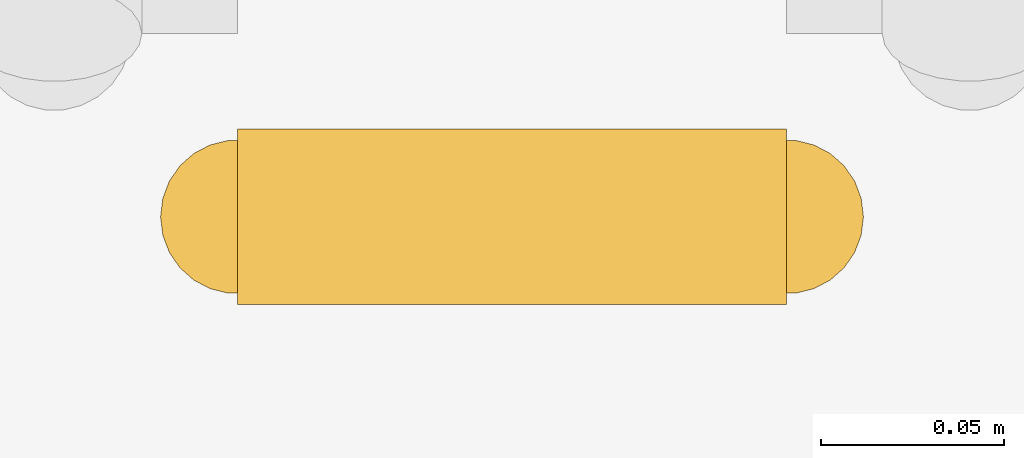
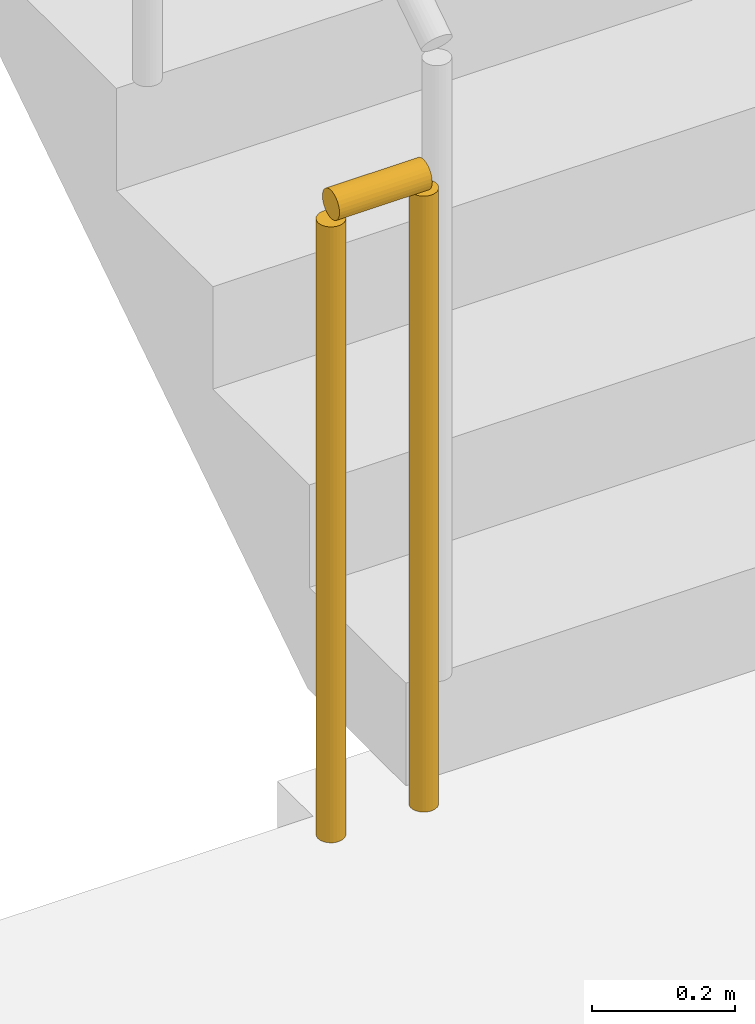
# One storey, part 16 of 19: 1 railing.
"""IFC4 building model written with IfcOpenShell, lengths in metres."""

from ifc_helpers import new_model, si_unit, direction, frame, origin, origin_2d, place, context, subcontext, project, spatial, circle, extrude, material, type_object, element, save


model = new_model("IFC4")

# Units and contexts
model_context = context("Model", 3, precision=1e-05, world=origin(), true_north=direction((0.0, 1.0)))
body_context = subcontext(model_context, "Body", "Model", "MODEL_VIEW")
ifc_project = project(units=[si_unit("LENGTHUNIT", "METRE"), si_unit("AREAUNIT", "SQUARE_METRE"), si_unit("VOLUMEUNIT", "CUBIC_METRE"), si_unit("PLANEANGLEUNIT", "RADIAN"), si_unit("MASSUNIT", "GRAM", prefix="KILO")], contexts=[model_context])

# Site, building, storey
site_placement = place(None, origin())
site = spatial("IfcSite", under=ifc_project, at=site_placement, CompositionType="ELEMENT")
building_placement = place(site_placement, origin())
building = spatial("IfcBuilding", under=site, at=building_placement, Name="Saffron Iwan Residences", CompositionType="ELEMENT")
storey_placement = place(building_placement, frame((0.0, 0.0, 267.5)))
storey = spatial("IfcBuildingStorey", under=building, at=storey_placement, Name="L72", CompositionType="ELEMENT", Elevation=267.5)

# Railing
ifc_material = material(Name="Steel S355", Category="steel")
railing_type = type_object("IfcRailingType", Name="Stair guard 1100", PredefinedType="GUARDRAIL", material=ifc_material)
railing_placement = place(storey_placement, frame((69.699951171875, 67.800048828125, 0.0)))
element("IfcRailing", 1, at=railing_placement, inside=storey, type_object=railing_type, Name="L72 ST-E stair guard 2", PredefinedType="GUARDRAIL", context=body_context, shape_type="SweptSolid", body=[
    extrude(circle(Radius=0.02392578125, at=origin_2d()), frame((0.0, 0.0, 1.076171875), z_axis=(-1.0, 0.0, 0.0), x_axis=(0.0, -1.0, 0.0)), (0.0, 0.0, 1.0), 0.14990234375),
    extrude(circle(Radius=0.02099609375, at=origin_2d()), origin(), (0.0, 0.0, 1.0), 1.052001953125),
    extrude(circle(Radius=0.02099609375, at=origin_2d()), frame((-0.14990234375, 0.0, 0.0)), (0.0, 0.0, 1.0), 1.052001953125),
])

save(model, "model.ifc")
